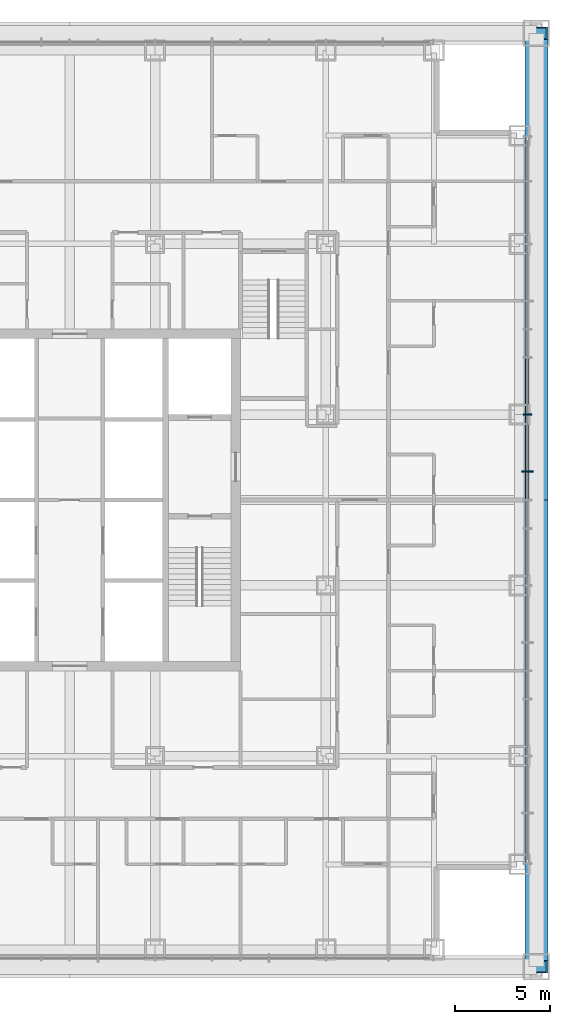
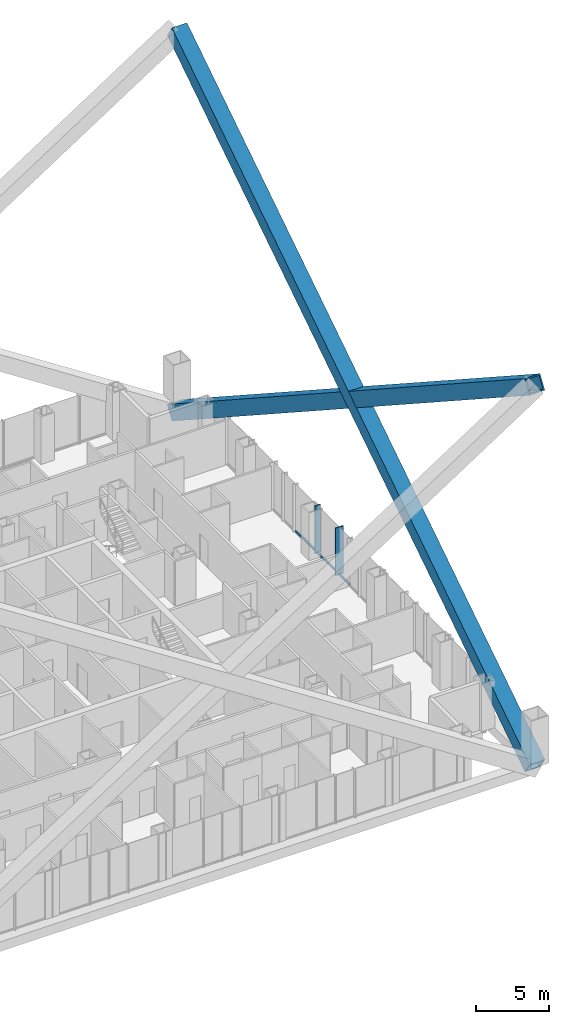
# One storey, part 6 of 21: 7 members, 1 element without a shape of its own.
"""IFC4 building model written with IfcOpenShell, lengths in metres."""

from ifc_helpers import new_model, si_unit, direction, frame, origin, origin_2d, place, context, subcontext, project, spatial, rectangle, hollow_rectangle, extrude, material, layer, layer_set, material_profile, profile_set, type_object, element, aggregate, save


model = new_model("IFC4")

# Units and contexts
model_context = context("Model", 3, precision=1e-05, world=origin(), true_north=direction((0.0, 1.0)))
body_context = subcontext(model_context, "Body", "Model", "MODEL_VIEW")
ifc_project = project(units=[si_unit("LENGTHUNIT", "METRE"), si_unit("AREAUNIT", "SQUARE_METRE"), si_unit("VOLUMEUNIT", "CUBIC_METRE"), si_unit("PLANEANGLEUNIT", "RADIAN"), si_unit("MASSUNIT", "GRAM", prefix="KILO")], contexts=[model_context])

# Site, building, storey
site_placement = place(None, origin())
site = spatial("IfcSite", under=ifc_project, at=site_placement, CompositionType="ELEMENT")
building_placement = place(site_placement, origin())
building = spatial("IfcBuilding", under=site, at=building_placement, Name="Malebo Sky Hospital", CompositionType="ELEMENT")
storey_placement = place(building_placement, frame((0.0, 0.0, 140.0)))
storey = spatial("IfcBuildingStorey", under=building, at=storey_placement, Name="L33", CompositionType="ELEMENT", Elevation=140.0)

# Curtain wall, members
ifc_material_1 = material(Name="Anodised aluminium, natural silver", Category="aluminium")
ifc_layer = layer(ifc_material_1, 0.25)
ifc_layer_set = layer_set([ifc_layer], Name="WARD CURTAIN WALL EAST AND WEST")
curtain_wall_type = type_object("IfcCurtainWallType", Name="WARD CURTAIN WALL EAST AND WEST", PredefinedType="NOTDEFINED", material=ifc_layer_set)
curtain_wall_placement = place(storey_placement, origin())
curtain_wall = element("IfcCurtainWall", 1, at=curtain_wall_placement, inside=storey, type_object=curtain_wall_type, Name="EW curtain wall E", PredefinedType="NOTDEFINED")
ifc_material_profile_1 = material_profile(ifc_material_1, rectangle(XDim=0.14990234375, YDim=0.10009765625, at=origin_2d()), Name="ALUMINIUM TRANSOM 150x100")
ifc_profile_set_1 = profile_set([ifc_material_profile_1], Name="Anodised aluminium, natural silver")
member_type_1 = type_object("IfcMemberType", Name="ALUMINIUM TRANSOM 150x100", PredefinedType="USERDEFINED", material=ifc_profile_set_1)
member_1_placement = place(storey_placement, frame((84.135009765625, 69.46240234375, 0.050048828125), z_axis=(0.0, -1.0, 0.0), x_axis=(1.0, 0.0, 0.0)))
member_1 = element("IfcMember", 2, at=member_1_placement, type_object=member_type_1, Name="Transom 6", ObjectType="TRANSOM", PredefinedType="USERDEFINED", context=body_context, shape_type="SweptSolid", body=[
    extrude(rectangle(XDim=0.14990234375, YDim=0.10009765625, at=origin_2d()), origin(), (0.0, 0.0, 1.0), 2.9248046875),
])
member_2_placement = place(storey_placement, frame((84.135009765625, 66.46240234375, 0.050048828125), z_axis=(0.0, -1.0, 0.0), x_axis=(1.0, 0.0, 0.0)))
member_2 = element("IfcMember", 3, at=member_2_placement, type_object=member_type_1, Name="Transom 7", ObjectType="TRANSOM", PredefinedType="USERDEFINED", context=body_context, shape_type="SweptSolid", body=[
    extrude(rectangle(XDim=0.14990234375, YDim=0.10009765625, at=origin_2d()), origin(), (0.0, 0.0, 1.0), 2.9248046875),
])
member_3_placement = place(storey_placement, frame((84.135009765625, 63.46240234375, 0.050048828125), z_axis=(0.0, -1.0, 0.0), x_axis=(1.0, 0.0, 0.0)))
member_3 = element("IfcMember", 4, at=member_3_placement, type_object=member_type_1, Name="Transom 8", ObjectType="TRANSOM", PredefinedType="USERDEFINED", context=body_context, shape_type="SweptSolid", body=[
    extrude(rectangle(XDim=0.14990234375, YDim=0.10009765625, at=origin_2d()), origin(), (0.0, 0.0, 1.0), 1.4248046875),
])
ifc_material_profile_2 = material_profile(ifc_material_1, rectangle(XDim=0.074951171875, YDim=0.449951171875, at=origin_2d()), Name="CW2 ALUMINIUM FIN MULLION 75x450")
ifc_profile_set_2 = profile_set([ifc_material_profile_2], Name="Anodised aluminium, natural silver")
member_type_2 = type_object("IfcMemberType", Name="CW2 ALUMINIUM FIN MULLION 75x450", PredefinedType="MULLION", material=ifc_profile_set_2)
member_4_placement = place(storey_placement, frame((84.135009765625, 66.5, 0.0), z_axis=(0.0, 0.0, 1.0), x_axis=(0.0, -1.0, 0.0)))
member_4 = element("IfcMember", 5, at=member_4_placement, type_object=member_type_2, Name="Fin mullion 7", PredefinedType="MULLION", context=body_context, shape_type="SweptSolid", body=[
    extrude(rectangle(XDim=0.074951171875, YDim=0.449951171875, at=origin_2d()), origin(), (0.0, 0.0, 1.0), 4.0),
])
ifc_material_profile_3 = material_profile(ifc_material_1, rectangle(XDim=0.074951171875, YDim=0.60009765625, at=origin_2d()), Name="CW2 ALUMINIUM FIN MULLION 75x600")
ifc_profile_set_3 = profile_set([ifc_material_profile_3], Name="Anodised aluminium, natural silver")
member_type_3 = type_object("IfcMemberType", Name="CW2 ALUMINIUM FIN MULLION 75x600", PredefinedType="MULLION", material=ifc_profile_set_3)
member_5_placement = place(storey_placement, frame((84.135009765625, 63.5, 0.0), z_axis=(0.0, 0.0, 1.0), x_axis=(0.0, -1.0, 0.0)))
member_5 = element("IfcMember", 6, at=member_5_placement, type_object=member_type_3, Name="Fin mullion 8", PredefinedType="MULLION", context=body_context, shape_type="SweptSolid", body=[
    extrude(rectangle(XDim=0.074951171875, YDim=0.60009765625, at=origin_2d()), origin(), (0.0, 0.0, 1.0), 4.0),
])
aggregate(curtain_wall, [member_4, member_5, member_1, member_2, member_3])

# Members
ifc_material_2 = material(Name="Steel S460", Category="steel")
ifc_material_profile_4 = material_profile(ifc_material_2, hollow_rectangle(XDim=1.199951171875, YDim=1.199951171875, WallThickness=0.10009765625, at=origin_2d()), Name="BOX 1200x1200x100")
ifc_profile_set_4 = profile_set([ifc_material_profile_4], Name="Steel S460")
member_type_4 = type_object("IfcMemberType", Name="MEGA BRACE BOX 1200x1200x100", PredefinedType="BRACE", material=ifc_profile_set_4)
for number, where, z_axis, x_axis, name in (
    (7, (84.60009765625, 37.39990234375, -0.39990234375), (0.0, 0.838288860392, 0.545226362663), (-1.0, 0.0, 0.0), "Mega brace B2E1 L33-L41"),
    (8, (84.60009765625, 86.60009765625, -0.39990234375), (0.0, -0.838288860392, 0.545226362663), (1.0, 0.0, 0.0), "Mega brace B2E2 L33-L41"),
):
    element("IfcMember", number, at=place(storey_placement, frame(where, z_axis=z_axis, x_axis=x_axis)), inside=storey, type_object=member_type_4, Name=name, PredefinedType="BRACE", context=body_context, shape_type="SweptSolid", body=[
        extrude(hollow_rectangle(XDim=1.199951171875, YDim=1.199951171875, WallThickness=0.10009765625, at=origin_2d()), origin(), (0.0, 0.0, 1.0), 58.691162109375),
    ])

save(model, "model.ifc")
